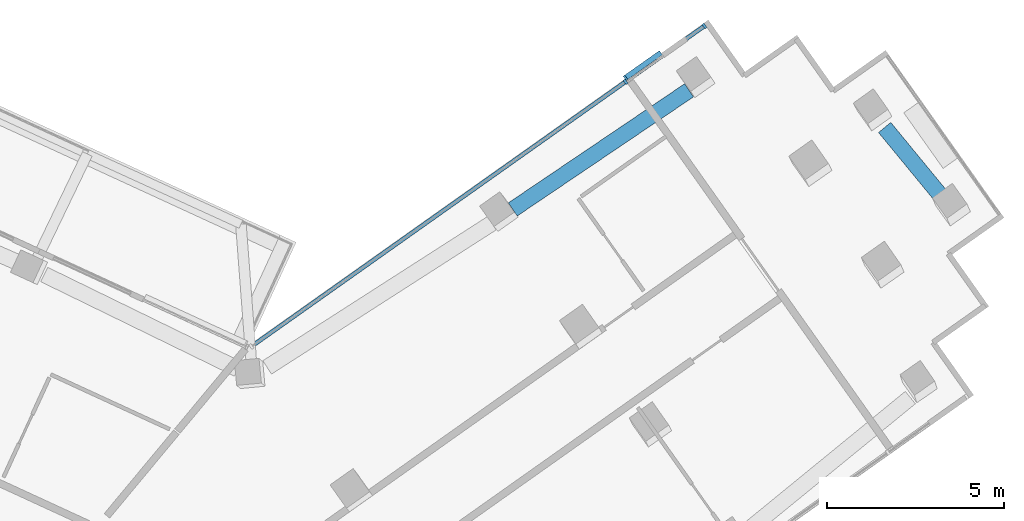
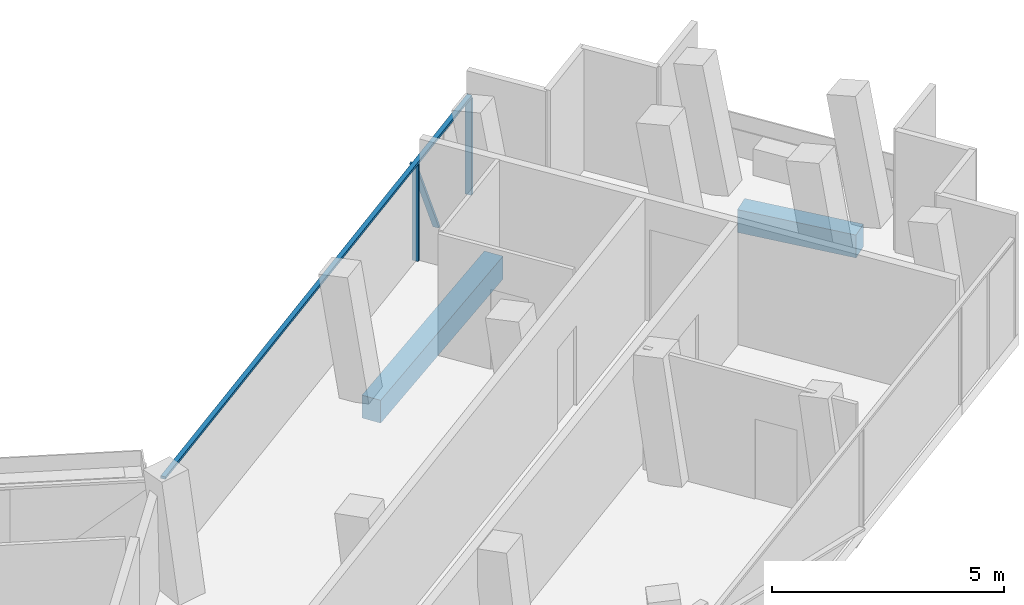
# One storey, part 11 of 25: 4 members, 2 beams, 1 element without a shape of its own.
"""IFC4 building model written with IfcOpenShell, lengths in metres."""

from ifc_helpers import new_model, si_unit, direction, frame, origin, origin_2d, place, context, subcontext, project, spatial, rectangle, extrude, material, layer, layer_set, material_profile, profile_set, type_object, element, aggregate, save


model = new_model("IFC4")

# Units and contexts
model_context = context("Model", 3, precision=1e-05, world=origin(), true_north=direction((0.0, 1.0)))
body_context = subcontext(model_context, "Body", "Model", "MODEL_VIEW")
ifc_project = project(units=[si_unit("LENGTHUNIT", "METRE"), si_unit("AREAUNIT", "SQUARE_METRE"), si_unit("VOLUMEUNIT", "CUBIC_METRE"), si_unit("PLANEANGLEUNIT", "RADIAN"), si_unit("MASSUNIT", "GRAM", prefix="KILO")], contexts=[model_context])

# Site, building, storey
site_placement = place(None, origin())
site = spatial("IfcSite", under=ifc_project, at=site_placement, CompositionType="ELEMENT")
building_placement = place(site_placement, origin())
building = spatial("IfcBuilding", under=site, at=building_placement, Name="Verdalira Terraces Hotel", CompositionType="ELEMENT")
storey_placement = place(building_placement, frame((0.0, 0.0, 299.5)))
storey = spatial("IfcBuildingStorey", under=building, at=storey_placement, Name="L74", CompositionType="ELEMENT", Elevation=299.5)

# Curtain wall, members
ifc_material_1 = material(Name="Clear glass", Category="glass")
ifc_layer = layer(ifc_material_1, 0.14990234375)
ifc_layer_set = layer_set([ifc_layer], Name="CW2 curtain wall")
curtain_wall_type = type_object("IfcCurtainWallType", Name="CW2 curtain wall", PredefinedType="NOTDEFINED", material=ifc_layer_set)
curtain_wall_placement = place(storey_placement, origin())
curtain_wall = element("IfcCurtainWall", 1, at=curtain_wall_placement, inside=storey, type_object=curtain_wall_type, Name="CW2 curtain wall L74 edge 38", PredefinedType="NOTDEFINED")
ifc_material_2 = material(Name="Terracotta frame", Category="masonry")
ifc_material_profile_1 = material_profile(ifc_material_2, rectangle(XDim=0.070068, YDim=0.149902, at=origin_2d()), Name="MU 70x150")
ifc_profile_set_1 = profile_set([ifc_material_profile_1], Name="Terracotta frame")
member_type_1 = type_object("IfcMemberType", Name="CW2 mullion 70x150", PredefinedType="MULLION", material=ifc_profile_set_1)
member_1_placement = place(storey_placement, frame((28.94165, 28.347168, 0.0), z_axis=(0.0, 0.0, 1.0), x_axis=(-0.816339251, -0.577572703, 0.0)))
member_1 = element("IfcMember", 2, at=member_1_placement, type_object=member_type_1, Name="CW2 mullion", PredefinedType="MULLION", context=body_context, shape_type="SweptSolid", body=[
    extrude(rectangle(XDim=0.070068, YDim=0.149902, at=origin_2d()), origin(), (0.0, 0.0, 1.0), 2.524902),
])
member_2_placement = place(storey_placement, frame((26.708984, 26.767578, 0.0), z_axis=(0.0, 0.0, 1.0), x_axis=(-0.816339251, -0.577572703, 0.0)))
member_2 = element("IfcMember", 3, at=member_2_placement, type_object=member_type_1, Name="CW2 mullion", PredefinedType="MULLION", context=body_context, shape_type="SweptSolid", body=[
    extrude(rectangle(XDim=0.070068, YDim=0.149902, at=origin_2d()), origin(), (0.0, 0.0, 1.0), 2.524902),
])
ifc_material_3 = material(Name="Terracotta frame", Category="masonry")
ifc_material_profile_2 = material_profile(ifc_material_3, rectangle(XDim=0.11499, YDim=0.064941, at=origin_2d()), Name="TR 65x115")
ifc_profile_set_2 = profile_set([ifc_material_profile_2], Name="Terracotta frame")
member_type_2 = type_object("IfcMemberType", Name="CW2 transom 65x115", PredefinedType="USERDEFINED", material=ifc_profile_set_2)
member_3_placement = place(storey_placement, frame((28.970215, 28.367432, 2.557617), z_axis=(-0.816337332, -0.577575415, 0.0), x_axis=(0.577575415, -0.816337332, 0.0)))
member_3 = element("IfcMember", 4, at=member_3_placement, type_object=member_type_2, Name="CW2 transom", ObjectType="TRANSOM", PredefinedType="USERDEFINED", context=body_context, shape_type="SweptSolid", body=[
    extrude(rectangle(XDim=0.11499, YDim=0.064941, at=origin_2d()), origin(), (0.0, 0.0, 1.0), 15.775635),
])
ifc_material_4 = material(Name="Terracotta frame", Category="masonry")
ifc_material_profile_3 = material_profile(ifc_material_4, rectangle(XDim=0.149902, YDim=0.060059, at=origin_2d()), Name="GB 60x150")
ifc_profile_set_3 = profile_set([ifc_material_profile_3], Name="Terracotta frame")
member_type_3 = type_object("IfcMemberType", Name="Diagonal glazing bar 60x150", PredefinedType="USERDEFINED", material=ifc_profile_set_3)
member_4_placement = place(storey_placement, frame((27.686768, 27.570801, 0.055908), z_axis=(-0.363283817, -0.257016506, 0.895526317), x_axis=(0.577554076, -0.81635243, 0.0)))
member_4 = element("IfcMember", 5, at=member_4_placement, type_object=member_type_3, Name="Diagonal glazing bar", ObjectType="GLAZING BAR", PredefinedType="USERDEFINED", context=body_context, shape_type="SweptSolid", body=[
    extrude(rectangle(XDim=0.149902, YDim=0.060059, at=origin_2d()), origin(), (0.0, 0.0, 1.0), 2.694824),
])
aggregate(curtain_wall, [member_1, member_2, member_3, member_4])

# Beams
ifc_material_5 = material(Name="Concrete C40", Category="concrete")
ifc_material_profile_4 = material_profile(ifc_material_5, rectangle(XDim=0.449951, YDim=0.600098, at=origin_2d()), Name="RC 450X600")
ifc_profile_set_4 = profile_set([ifc_material_profile_4], Name="Concrete C40")
beam_type = type_object("IfcBeamType", Name="Spandrel beam RC 450X600 C40", PredefinedType="SPANDREL", material=ifc_profile_set_4)
beam_1_placement = place(storey_placement, frame((35.773682, 23.365234, -0.610107), z_axis=(-0.634989201, 0.772521012, 0.0), x_axis=(-0.772521012, -0.634989201, 0.0)))
element("IfcBeam", 6, at=beam_1_placement, inside=storey, type_object=beam_type, Name="Spandrel beam B21", PredefinedType="SPANDREL", context=body_context, shape_type="SweptSolid", body=[
    extrude(rectangle(XDim=0.449951, YDim=0.600098, at=origin_2d()), origin(), (0.0, 0.0, 1.0), 2.730225),
])
beam_2_placement = place(storey_placement, frame((28.506104, 26.525391, -0.610107), z_axis=(-0.828627614, -0.559800212, 0.0), x_axis=(0.559800212, -0.828627614, 0.0)))
element("IfcBeam", 7, at=beam_2_placement, inside=storey, type_object=beam_type, Name="Spandrel beam B22", PredefinedType="SPANDREL", context=body_context, shape_type="SweptSolid", body=[
    extrude(rectangle(XDim=0.449951, YDim=0.600098, at=origin_2d()), origin(), (0.0, 0.0, 1.0), 6.019287),
])

save(model, "model.ifc")
